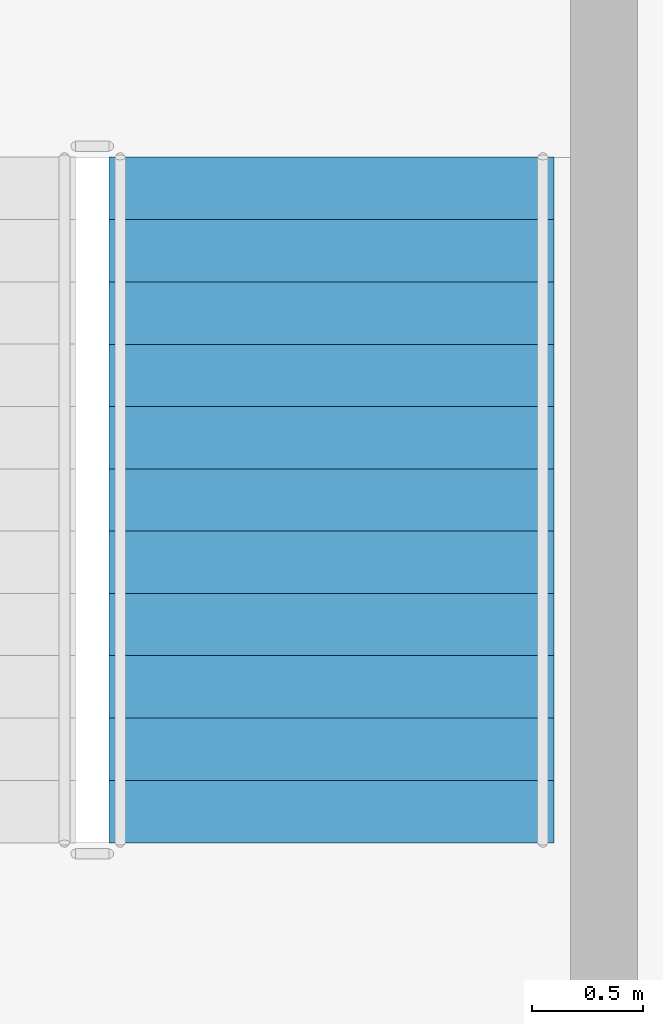
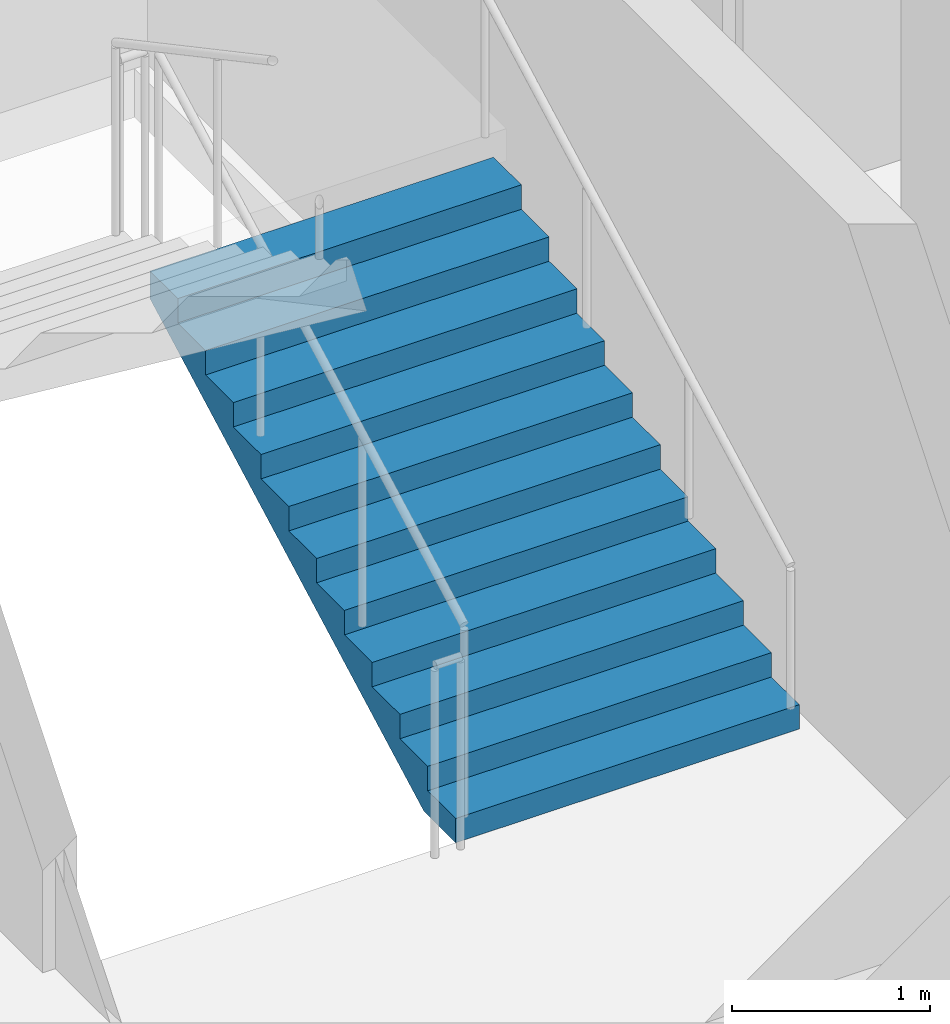
# One storey, part 12 of 15: 1 stair flight, 1 element without a shape of its own.
"""IFC4 building model written with IfcOpenShell, lengths in metres."""

from ifc_helpers import new_model, si_unit, direction, frame, origin, place, context, subcontext, project, spatial, polygons, material, type_object, element, aggregate, save


model = new_model("IFC4")

# Units and contexts
model_context = context("Model", 3, precision=1e-05, world=origin(), true_north=direction((0.0, 1.0)))
body_context = subcontext(model_context, "Body", "Model", "MODEL_VIEW")
ifc_project = project(units=[si_unit("LENGTHUNIT", "METRE"), si_unit("AREAUNIT", "SQUARE_METRE"), si_unit("VOLUMEUNIT", "CUBIC_METRE"), si_unit("PLANEANGLEUNIT", "RADIAN"), si_unit("MASSUNIT", "GRAM", prefix="KILO")], contexts=[model_context])

# Site, building, storey
site_placement = place(None, origin())
site = spatial("IfcSite", under=ifc_project, at=site_placement, CompositionType="ELEMENT")
building_placement = place(site_placement, origin())
building = spatial("IfcBuilding", under=site, at=building_placement, Name="Caravel Reach Hotel and Residences", CompositionType="ELEMENT")
storey_placement = place(building_placement, frame((0.0, 0.0, 122.39990234375)))
storey = spatial("IfcBuildingStorey", under=building, at=storey_placement, Name="L30", CompositionType="ELEMENT", Elevation=122.39990234375)

# Stair, stair flight
ifc_material_1 = material(Name="Concrete C40", Category="concrete")
stair_type = type_object("IfcStairType", Name="Core stair", PredefinedType="HALF_TURN_STAIR", material=ifc_material_1)
stair_placement = place(storey_placement, origin())
stair = element("IfcStair", 1, at=stair_placement, inside=storey, type_object=stair_type, Name="L30 Exit stair B", PredefinedType="HALF_TURN_STAIR")
ifc_material_2 = material(Name="Concrete C40", Category="concrete")
stair_flight_type = type_object("IfcStairFlightType", Name="Core stair flight", PredefinedType="STRAIGHT", material=ifc_material_2)
stair_flight_placement = place(storey_placement, frame((43.77490234375, 24.64990234375, 0.0), z_axis=(0.0, 0.0, 1.0), x_axis=(0.0, 1.0, 0.0)))
stair_flight = element("IfcStairFlight", 2, at=stair_flight_placement, type_object=stair_flight_type, Name="ST-B flight 1", NumberOfRisers=12, NumberOfTreads=11, PredefinedType="STRAIGHT", RiserHeight=0.15, TreadLength=0.28, context=body_context, shape_type="Tessellation", body=[
    polygons([(0.3174408016601862, 1.0, 0.0), (0.3174408016601862, 0.6666666666666667, 0.0), (0.3174408016601862, 0.33333333333333337, 0.0), (0.3174408016601862, 0.0, 0.0), (0.3174408016601862, -0.33333333333333326, 0.0), (0.3174408016601862, -0.6666666666666667, 0.0), (0.3174408016601862, -1.0, 0.0), (3.081, 1.0, 1.479942427682043), (3.081, 0.6666666666666667, 1.479942427682043), (3.081, 0.33333333333333337, 1.479942427682043), (3.081, 0.0, 1.479942427682043), (3.081, -0.33333333333333326, 1.479942427682043), (3.081, -0.6666666666666667, 1.479942427682043), (3.081, -1.0, 1.479942427682043), (3.081, 1.0, 1.65), (3.081, 0.6666666666666667, 1.65), (3.081, 0.33333333333333337, 1.65), (3.081, 0.0, 1.65), (3.081, -0.33333333333333326, 1.65), (3.081, -0.6666666666666667, 1.65), (3.081, -1.0, 1.65), (2.8000000000000003, 1.0, 1.65), (2.8000000000000003, 0.6666666666666667, 1.65), (2.8000000000000003, 0.33333333333333337, 1.65), (2.8000000000000003, 0.0, 1.65), (2.8000000000000003, -0.33333333333333326, 1.65), (2.8000000000000003, -0.6666666666666667, 1.65), (2.8000000000000003, -1.0, 1.65), (2.8000000000000003, 1.0, 1.5), (2.8000000000000003, 0.6666666666666667, 1.5), (2.8000000000000003, 0.33333333333333337, 1.5), (2.8000000000000003, 0.0, 1.5), (2.8000000000000003, -0.33333333333333326, 1.5), (2.8000000000000003, -0.6666666666666667, 1.5), (2.8000000000000003, -1.0, 1.5), (2.5200000000000005, 1.0, 1.5), (2.5200000000000005, 0.6666666666666667, 1.5), (2.5200000000000005, 0.33333333333333337, 1.5), (2.5200000000000005, 0.0, 1.5), (2.5200000000000005, -0.33333333333333326, 1.5), (2.5200000000000005, -0.6666666666666667, 1.5), (2.5200000000000005, -1.0, 1.5), (2.5200000000000005, 1.0, 1.3499999999999999), (2.5200000000000005, 0.6666666666666667, 1.3499999999999999), (2.5200000000000005, 0.33333333333333337, 1.3499999999999999), (2.5200000000000005, 0.0, 1.3499999999999999), (2.5200000000000005, -0.33333333333333326, 1.3499999999999999), (2.5200000000000005, -0.6666666666666667, 1.3499999999999999), (2.5200000000000005, -1.0, 1.3499999999999999), (2.24, 1.0, 1.3499999999999999), (2.24, 0.6666666666666667, 1.3499999999999999), (2.24, 0.33333333333333337, 1.3499999999999999), (2.24, 0.0, 1.3499999999999999), (2.24, -0.33333333333333326, 1.3499999999999999), (2.24, -0.6666666666666667, 1.3499999999999999), (2.24, -1.0, 1.3499999999999999), (2.24, 1.0, 1.2), (2.24, 0.6666666666666667, 1.2), (2.24, 0.33333333333333337, 1.2), (2.24, 0.0, 1.2), (2.24, -0.33333333333333326, 1.2), (2.24, -0.6666666666666667, 1.2), (2.24, -1.0, 1.2), (1.9600000000000002, 1.0, 1.2), (1.9600000000000002, 0.6666666666666667, 1.2), (1.9600000000000002, 0.33333333333333337, 1.2), (1.9600000000000002, 0.0, 1.2), (1.9600000000000002, -0.33333333333333326, 1.2), (1.9600000000000002, -0.6666666666666667, 1.2), (1.9600000000000002, -1.0, 1.2), (1.9600000000000002, 1.0, 1.05), (1.9600000000000002, 0.6666666666666667, 1.05), (1.9600000000000002, 0.33333333333333337, 1.05), (1.9600000000000002, 0.0, 1.05), (1.9600000000000002, -0.33333333333333326, 1.05), (1.9600000000000002, -0.6666666666666667, 1.05), (1.9600000000000002, -1.0, 1.05), (1.6800000000000002, 1.0, 1.05), (1.6800000000000002, 0.6666666666666667, 1.05), (1.6800000000000002, 0.33333333333333337, 1.05), (1.6800000000000002, 0.0, 1.05), (1.6800000000000002, -0.33333333333333326, 1.05), (1.6800000000000002, -0.6666666666666667, 1.05), (1.6800000000000002, -1.0, 1.05), (1.6800000000000002, 1.0, 0.8999999999999999), (1.6800000000000002, 0.6666666666666667, 0.8999999999999999), (1.6800000000000002, 0.33333333333333337, 0.8999999999999999), (1.6800000000000002, 0.0, 0.8999999999999999), (1.6800000000000002, -0.33333333333333326, 0.8999999999999999), (1.6800000000000002, -0.6666666666666667, 0.8999999999999999), (1.6800000000000002, -1.0, 0.8999999999999999), (1.4000000000000001, 1.0, 0.8999999999999999), (1.4000000000000001, 0.6666666666666667, 0.8999999999999999), (1.4000000000000001, 0.33333333333333337, 0.8999999999999999), (1.4000000000000001, 0.0, 0.8999999999999999), (1.4000000000000001, -0.33333333333333326, 0.8999999999999999), (1.4000000000000001, -0.6666666666666667, 0.8999999999999999), (1.4000000000000001, -1.0, 0.8999999999999999), (1.4000000000000001, 1.0, 0.75), (1.4000000000000001, 0.6666666666666667, 0.75), (1.4000000000000001, 0.33333333333333337, 0.75), (1.4000000000000001, 0.0, 0.75), (1.4000000000000001, -0.33333333333333326, 0.75), (1.4000000000000001, -0.6666666666666667, 0.75), (1.4000000000000001, -1.0, 0.75), (1.12, 1.0, 0.75), (1.12, 0.6666666666666667, 0.75), (1.12, 0.33333333333333337, 0.75), (1.12, 0.0, 0.75), (1.12, -0.33333333333333326, 0.75), (1.12, -0.6666666666666667, 0.75), (1.12, -1.0, 0.75), (1.12, 1.0, 0.6), (1.12, 0.6666666666666667, 0.6), (1.12, 0.33333333333333337, 0.6), (1.12, 0.0, 0.6), (1.12, -0.33333333333333326, 0.6), (1.12, -0.6666666666666667, 0.6), (1.12, -1.0, 0.6), (0.8400000000000001, 1.0, 0.6), (0.8400000000000001, 0.6666666666666667, 0.6), (0.8400000000000001, 0.33333333333333337, 0.6), (0.8400000000000001, 0.0, 0.6), (0.8400000000000001, -0.33333333333333326, 0.6), (0.8400000000000001, -0.6666666666666667, 0.6), (0.8400000000000001, -1.0, 0.6), (0.8400000000000001, 1.0, 0.44999999999999996), (0.8400000000000001, 0.6666666666666667, 0.44999999999999996), (0.8400000000000001, 0.33333333333333337, 0.44999999999999996), (0.8400000000000001, 0.0, 0.44999999999999996), (0.8400000000000001, -0.33333333333333326, 0.44999999999999996), (0.8400000000000001, -0.6666666666666667, 0.44999999999999996), (0.8400000000000001, -1.0, 0.44999999999999996), (0.56, 1.0, 0.44999999999999996), (0.56, 0.6666666666666667, 0.44999999999999996), (0.56, 0.33333333333333337, 0.44999999999999996), (0.56, 0.0, 0.44999999999999996), (0.56, -0.33333333333333326, 0.44999999999999996), (0.56, -0.6666666666666667, 0.44999999999999996), (0.56, -1.0, 0.44999999999999996), (0.56, 1.0, 0.3), (0.56, 0.6666666666666667, 0.3), (0.56, 0.33333333333333337, 0.3), (0.56, 0.0, 0.3), (0.56, -0.33333333333333326, 0.3), (0.56, -0.6666666666666667, 0.3), (0.56, -1.0, 0.3), (0.28, 1.0, 0.3), (0.28, 0.6666666666666667, 0.3), (0.28, 0.33333333333333337, 0.3), (0.28, 0.0, 0.3), (0.28, -0.33333333333333326, 0.3), (0.28, -0.6666666666666667, 0.3), (0.28, -1.0, 0.3), (0.28, 1.0, 0.15), (0.28, 0.6666666666666667, 0.15), (0.28, 0.33333333333333337, 0.15), (0.28, 0.0, 0.15), (0.28, -0.33333333333333326, 0.15), (0.28, -0.6666666666666667, 0.15), (0.28, -1.0, 0.15), (-0.001, 1.0, 0.15), (-0.001, 0.6666666666666667, 0.15), (-0.001, 0.33333333333333337, 0.15), (-0.001, 0.0, 0.15), (-0.001, -0.33333333333333326, 0.15), (-0.001, -0.6666666666666667, 0.15), (-0.001, -1.0, 0.15), (-0.001, 1.0, 0.0), (-0.001, 0.6666666666666667, 0.0), (-0.001, 0.33333333333333337, 0.0), (-0.001, 0.0, 0.0), (-0.001, -0.33333333333333326, 0.0), (-0.001, -0.6666666666666667, 0.0), (-0.001, -1.0, 0.0)], [[[169, 162, 155, 148, 141, 134, 127, 120, 113, 106, 99, 92, 85, 78, 71, 64, 57, 50, 43, 36, 29, 22, 15, 8, 1]], [[7, 14, 21, 28, 35, 42, 49, 56, 63, 70, 77, 84, 91, 98, 105, 112, 119, 126, 133, 140, 147, 154, 161, 168, 175]], [[1, 8, 9, 2]], [[2, 9, 10, 3]], [[3, 10, 11, 4]], [[4, 11, 12, 5]], [[5, 12, 13, 6]], [[6, 13, 14, 7]], [[8, 15, 16, 9]], [[9, 16, 17, 10]], [[10, 17, 18, 11]], [[11, 18, 19, 12]], [[12, 19, 20, 13]], [[13, 20, 21, 14]], [[15, 22, 23, 16]], [[16, 23, 24, 17]], [[17, 24, 25, 18]], [[18, 25, 26, 19]], [[19, 26, 27, 20]], [[20, 27, 28, 21]], [[22, 29, 30, 23]], [[23, 30, 31, 24]], [[24, 31, 32, 25]], [[25, 32, 33, 26]], [[26, 33, 34, 27]], [[27, 34, 35, 28]], [[29, 36, 37, 30]], [[30, 37, 38, 31]], [[31, 38, 39, 32]], [[32, 39, 40, 33]], [[33, 40, 41, 34]], [[34, 41, 42, 35]], [[36, 43, 44, 37]], [[37, 44, 45, 38]], [[38, 45, 46, 39]], [[39, 46, 47, 40]], [[40, 47, 48, 41]], [[41, 48, 49, 42]], [[43, 50, 51, 44]], [[44, 51, 52, 45]], [[45, 52, 53, 46]], [[46, 53, 54, 47]], [[47, 54, 55, 48]], [[48, 55, 56, 49]], [[50, 57, 58, 51]], [[51, 58, 59, 52]], [[52, 59, 60, 53]], [[53, 60, 61, 54]], [[54, 61, 62, 55]], [[55, 62, 63, 56]], [[57, 64, 65, 58]], [[58, 65, 66, 59]], [[59, 66, 67, 60]], [[60, 67, 68, 61]], [[61, 68, 69, 62]], [[62, 69, 70, 63]], [[64, 71, 72, 65]], [[65, 72, 73, 66]], [[66, 73, 74, 67]], [[67, 74, 75, 68]], [[68, 75, 76, 69]], [[69, 76, 77, 70]], [[71, 78, 79, 72]], [[72, 79, 80, 73]], [[73, 80, 81, 74]], [[74, 81, 82, 75]], [[75, 82, 83, 76]], [[76, 83, 84, 77]], [[78, 85, 86, 79]], [[79, 86, 87, 80]], [[80, 87, 88, 81]], [[81, 88, 89, 82]], [[82, 89, 90, 83]], [[83, 90, 91, 84]], [[85, 92, 93, 86]], [[86, 93, 94, 87]], [[87, 94, 95, 88]], [[88, 95, 96, 89]], [[89, 96, 97, 90]], [[90, 97, 98, 91]], [[92, 99, 100, 93]], [[93, 100, 101, 94]], [[94, 101, 102, 95]], [[95, 102, 103, 96]], [[96, 103, 104, 97]], [[97, 104, 105, 98]], [[99, 106, 107, 100]], [[100, 107, 108, 101]], [[101, 108, 109, 102]], [[102, 109, 110, 103]], [[103, 110, 111, 104]], [[104, 111, 112, 105]], [[106, 113, 114, 107]], [[107, 114, 115, 108]], [[108, 115, 116, 109]], [[109, 116, 117, 110]], [[110, 117, 118, 111]], [[111, 118, 119, 112]], [[113, 120, 121, 114]], [[114, 121, 122, 115]], [[115, 122, 123, 116]], [[116, 123, 124, 117]], [[117, 124, 125, 118]], [[118, 125, 126, 119]], [[120, 127, 128, 121]], [[121, 128, 129, 122]], [[122, 129, 130, 123]], [[123, 130, 131, 124]], [[124, 131, 132, 125]], [[125, 132, 133, 126]], [[127, 134, 135, 128]], [[128, 135, 136, 129]], [[129, 136, 137, 130]], [[130, 137, 138, 131]], [[131, 138, 139, 132]], [[132, 139, 140, 133]], [[134, 141, 142, 135]], [[135, 142, 143, 136]], [[136, 143, 144, 137]], [[137, 144, 145, 138]], [[138, 145, 146, 139]], [[139, 146, 147, 140]], [[141, 148, 149, 142]], [[142, 149, 150, 143]], [[143, 150, 151, 144]], [[144, 151, 152, 145]], [[145, 152, 153, 146]], [[146, 153, 154, 147]], [[148, 155, 156, 149]], [[149, 156, 157, 150]], [[150, 157, 158, 151]], [[151, 158, 159, 152]], [[152, 159, 160, 153]], [[153, 160, 161, 154]], [[155, 162, 163, 156]], [[156, 163, 164, 157]], [[157, 164, 165, 158]], [[158, 165, 166, 159]], [[159, 166, 167, 160]], [[160, 167, 168, 161]], [[162, 169, 170, 163]], [[163, 170, 171, 164]], [[164, 171, 172, 165]], [[165, 172, 173, 166]], [[166, 173, 174, 167]], [[167, 174, 175, 168]], [[169, 1, 2, 170]], [[170, 2, 3, 171]], [[171, 3, 4, 172]], [[172, 4, 5, 173]], [[173, 5, 6, 174]], [[174, 6, 7, 175]]], closed=True),
])
aggregate(stair, [stair_flight])

save(model, "model.ifc")
